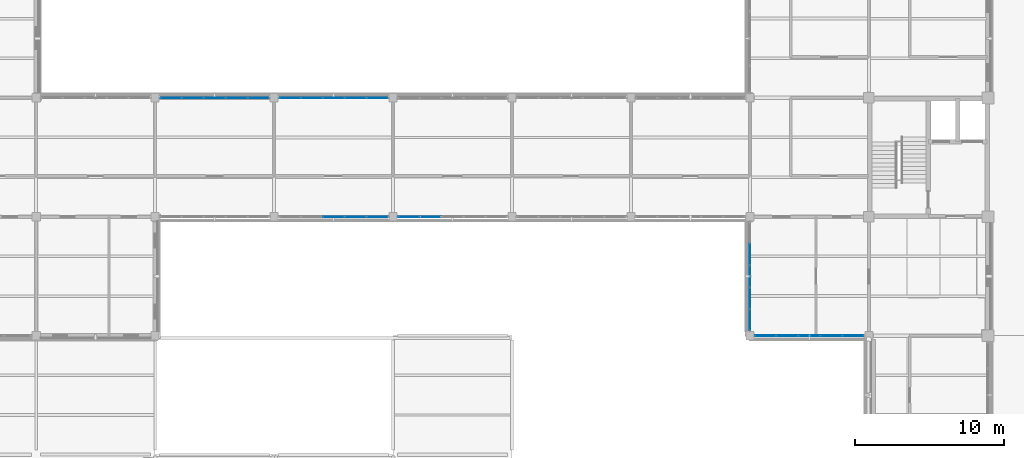
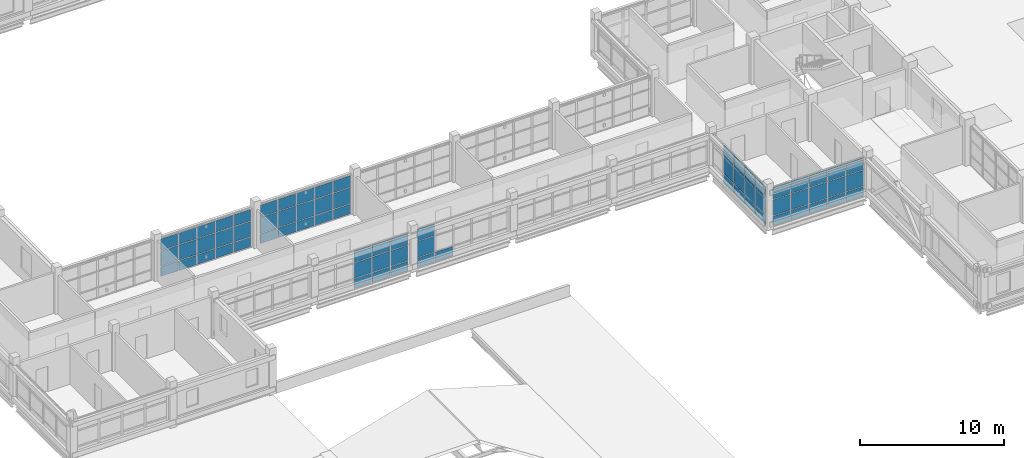
# One storey, part 56 of 107: 70 plates, 6 elements without a shape of their own.
"""IFC4 building model written with IfcOpenShell, lengths in metres."""

from ifc_helpers import new_model, si_unit, derived_unit, direction, frame, origin, origin_2d, place, context, subcontext, project, spatial, rectangle, extrude, material, layer, layer_set, type_object, element, aggregate, save


model = new_model("IFC4")

# Units and contexts
model_context = context("Model", 3, precision=1e-05, world=origin(), true_north=direction((0.0, 1.0)))
body_context = subcontext(model_context, "Body", "Model", "MODEL_VIEW")
ifc_project = project(units=[si_unit("LENGTHUNIT", "METRE"), si_unit("AREAUNIT", "SQUARE_METRE"), si_unit("VOLUMEUNIT", "CUBIC_METRE"), si_unit("PLANEANGLEUNIT", "RADIAN"), si_unit("MASSUNIT", "GRAM", prefix="KILO"), derived_unit("THERMALTRANSMITTANCEUNIT", [(si_unit("MASSUNIT", "GRAM", prefix="KILO"), 1), (si_unit("TIMEUNIT", "SECOND"), -3), (si_unit("THERMODYNAMICTEMPERATUREUNIT", "KELVIN"), -1)])], contexts=[model_context])

# Site, building, storey
site_placement = place(None, origin())
site = spatial("IfcSite", under=ifc_project, at=site_placement, CompositionType="ELEMENT")
building_placement = place(site_placement, origin())
building = spatial("IfcBuilding", under=site, at=building_placement, Name="Veyamyaing Civic Hall", CompositionType="ELEMENT")
storey_placement = place(building_placement, frame((0.0, 0.0, 13.860107421875)))
storey = spatial("IfcBuildingStorey", under=building, at=storey_placement, Name="L03", CompositionType="ELEMENT", Elevation=13.860107421875)

# Curtain wall, plates
ifc_material_1 = material(Name="Anodised aluminium 6063-T6", Category="aluminium")
ifc_layer_1 = layer(ifc_material_1, 0.139892578125, Name="Anodised aluminium 6063-T6")
ifc_layer_set_1 = layer_set([ifc_layer_1], Name="Anodised aluminium 6063-T6")
curtain_wall_type = type_object("IfcCurtainWallType", Name="CW-04", PredefinedType="NOTDEFINED", material=ifc_layer_set_1)
curtain_wall_1_placement = place(storey_placement, origin())
curtain_wall_1 = element("IfcCurtainWall", 1, at=curtain_wall_1_placement, inside=storey, type_object=curtain_wall_type, Name="Unitized curtain wall CW-04 L03 N 3.7", PredefinedType="NOTDEFINED")
ifc_material_2 = material(Name="Low-E insulated glass", Category="glass")
ifc_layer_2 = layer(ifc_material_2, 0.028076171875, Name="Low-E insulated glass")
ifc_layer_set_2 = layer_set([ifc_layer_2], Name="Low-E insulated glass")
plate_type_1 = type_object("IfcPlateType", Name="CWP-01", PredefinedType="CURTAIN_PANEL", material=ifc_layer_set_2)
plate_1_placement = place(storey_placement, frame((17.05908203125, 56.0, 0.059814453125), z_axis=(0.0, 0.0, 1.0), x_axis=(1.0, 0.0, 0.0)))
plate_1 = element("IfcPlate", 2, at=plate_1_placement, type_object=plate_type_1, Name="CW-04 panel 1.1", PredefinedType="CURTAIN_PANEL", context=body_context, shape_type="SweptSolid", body=[
    extrude(rectangle(XDim=1.387939453125, YDim=0.028076171875, at=origin_2d()), origin(), (0.0, 0.0, 1.0), 0.81005859375),
])
plate_2_placement = place(storey_placement, frame((17.05908203125, 56.0, 0.9296875), z_axis=(0.0, 0.0, 1.0), x_axis=(1.0, 0.0, 0.0)))
plate_2 = element("IfcPlate", 3, at=plate_2_placement, type_object=plate_type_1, Name="CW-04 panel 1.2", PredefinedType="CURTAIN_PANEL", context=body_context, shape_type="SweptSolid", body=[
    extrude(rectangle(XDim=1.387939453125, YDim=0.028076171875, at=origin_2d()), origin(), (0.0, 0.0, 1.0), 1.283935546875),
])
plate_3_placement = place(storey_placement, frame((17.05908203125, 56.0, 2.27392578125), z_axis=(0.0, 0.0, 1.0), x_axis=(1.0, 0.0, 0.0)))
plate_3 = element("IfcPlate", 4, at=plate_3_placement, type_object=plate_type_1, Name="CW-04 panel 1.3", PredefinedType="CURTAIN_PANEL", context=body_context, shape_type="SweptSolid", body=[
    extrude(rectangle(XDim=1.387939453125, YDim=0.028076171875, at=origin_2d()), origin(), (0.0, 0.0, 1.0), 0.966064453125),
])
plate_4_placement = place(storey_placement, frame((18.52197265625, 56.0, 0.059814453125), z_axis=(0.0, 0.0, 1.0), x_axis=(1.0, 0.0, 0.0)))
plate_4 = element("IfcPlate", 5, at=plate_4_placement, type_object=plate_type_1, Name="CW-04 panel 2.1", PredefinedType="CURTAIN_PANEL", context=body_context, shape_type="SweptSolid", body=[
    extrude(rectangle(XDim=1.41796875, YDim=0.028076171875, at=origin_2d()), origin(), (0.0, 0.0, 1.0), 0.81005859375),
])
plate_5_placement = place(storey_placement, frame((18.52197265625, 56.0, 0.9296875), z_axis=(0.0, 0.0, 1.0), x_axis=(1.0, 0.0, 0.0)))
plate_5 = element("IfcPlate", 6, at=plate_5_placement, type_object=plate_type_1, Name="CW-04 panel 2.2", PredefinedType="CURTAIN_PANEL", context=body_context, shape_type="SweptSolid", body=[
    extrude(rectangle(XDim=1.41796875, YDim=0.028076171875, at=origin_2d()), origin(), (0.0, 0.0, 1.0), 1.283935546875),
])
plate_6_placement = place(storey_placement, frame((18.52197265625, 56.0, 2.27392578125), z_axis=(0.0, 0.0, 1.0), x_axis=(1.0, 0.0, 0.0)))
plate_6 = element("IfcPlate", 7, at=plate_6_placement, type_object=plate_type_1, Name="CW-04 panel 2.3", PredefinedType="CURTAIN_PANEL", context=body_context, shape_type="SweptSolid", body=[
    extrude(rectangle(XDim=1.41796875, YDim=0.028076171875, at=origin_2d()), origin(), (0.0, 0.0, 1.0), 0.966064453125),
])
plate_7_placement = place(storey_placement, frame((20.0, 56.0, 0.059814453125), z_axis=(0.0, 0.0, 1.0), x_axis=(1.0, 0.0, 0.0)))
plate_7 = element("IfcPlate", 8, at=plate_7_placement, type_object=plate_type_1, Name="CW-04 panel 3.1", PredefinedType="CURTAIN_PANEL", context=body_context, shape_type="SweptSolid", body=[
    extrude(rectangle(XDim=1.41796875, YDim=0.028076171875, at=origin_2d()), origin(), (0.0, 0.0, 1.0), 0.81005859375),
])
plate_8_placement = place(storey_placement, frame((20.0, 56.0, 0.9296875), z_axis=(0.0, 0.0, 1.0), x_axis=(1.0, 0.0, 0.0)))
plate_8 = element("IfcPlate", 9, at=plate_8_placement, type_object=plate_type_1, Name="CW-04 panel 3.2", PredefinedType="CURTAIN_PANEL", context=body_context, shape_type="SweptSolid", body=[
    extrude(rectangle(XDim=1.41796875, YDim=0.028076171875, at=origin_2d()), origin(), (0.0, 0.0, 1.0), 1.283935546875),
])
plate_9_placement = place(storey_placement, frame((20.0, 56.0, 2.27392578125), z_axis=(0.0, 0.0, 1.0), x_axis=(1.0, 0.0, 0.0)))
plate_9 = element("IfcPlate", 10, at=plate_9_placement, type_object=plate_type_1, Name="CW-04 panel 3.3", PredefinedType="CURTAIN_PANEL", context=body_context, shape_type="SweptSolid", body=[
    extrude(rectangle(XDim=1.41796875, YDim=0.028076171875, at=origin_2d()), origin(), (0.0, 0.0, 1.0), 0.966064453125),
])
plate_10_placement = place(storey_placement, frame((21.47802734375, 56.0, 0.059814453125), z_axis=(0.0, 0.0, 1.0), x_axis=(1.0, 0.0, 0.0)))
plate_10 = element("IfcPlate", 11, at=plate_10_placement, type_object=plate_type_1, Name="CW-04 panel 4.1", PredefinedType="CURTAIN_PANEL", context=body_context, shape_type="SweptSolid", body=[
    extrude(rectangle(XDim=1.41796875, YDim=0.028076171875, at=origin_2d()), origin(), (0.0, 0.0, 1.0), 0.81005859375),
])
plate_11_placement = place(storey_placement, frame((21.47802734375, 56.0, 0.9296875), z_axis=(0.0, 0.0, 1.0), x_axis=(1.0, 0.0, 0.0)))
plate_11 = element("IfcPlate", 12, at=plate_11_placement, type_object=plate_type_1, Name="CW-04 panel 4.2", PredefinedType="CURTAIN_PANEL", context=body_context, shape_type="SweptSolid", body=[
    extrude(rectangle(XDim=1.41796875, YDim=0.028076171875, at=origin_2d()), origin(), (0.0, 0.0, 1.0), 1.283935546875),
])
plate_12_placement = place(storey_placement, frame((21.47802734375, 56.0, 2.27392578125), z_axis=(0.0, 0.0, 1.0), x_axis=(1.0, 0.0, 0.0)))
plate_12 = element("IfcPlate", 13, at=plate_12_placement, type_object=plate_type_1, Name="CW-04 panel 4.3", PredefinedType="CURTAIN_PANEL", context=body_context, shape_type="SweptSolid", body=[
    extrude(rectangle(XDim=1.41796875, YDim=0.028076171875, at=origin_2d()), origin(), (0.0, 0.0, 1.0), 0.966064453125),
])
plate_13_placement = place(storey_placement, frame((22.94091796875, 56.0, 0.059814453125), z_axis=(0.0, 0.0, 1.0), x_axis=(1.0, 0.0, 0.0)))
plate_13 = element("IfcPlate", 14, at=plate_13_placement, type_object=plate_type_1, Name="CW-04 panel 5.1", PredefinedType="CURTAIN_PANEL", context=body_context, shape_type="SweptSolid", body=[
    extrude(rectangle(XDim=1.387939453125, YDim=0.028076171875, at=origin_2d()), origin(), (0.0, 0.0, 1.0), 0.81005859375),
])
plate_14_placement = place(storey_placement, frame((22.94091796875, 56.0, 0.9296875), z_axis=(0.0, 0.0, 1.0), x_axis=(1.0, 0.0, 0.0)))
plate_14 = element("IfcPlate", 15, at=plate_14_placement, type_object=plate_type_1, Name="CW-04 panel 5.2", PredefinedType="CURTAIN_PANEL", context=body_context, shape_type="SweptSolid", body=[
    extrude(rectangle(XDim=1.387939453125, YDim=0.028076171875, at=origin_2d()), origin(), (0.0, 0.0, 1.0), 1.283935546875),
])
plate_15_placement = place(storey_placement, frame((22.94091796875, 56.0, 2.27392578125), z_axis=(0.0, 0.0, 1.0), x_axis=(1.0, 0.0, 0.0)))
plate_15 = element("IfcPlate", 16, at=plate_15_placement, type_object=plate_type_1, Name="CW-04 panel 5.3", PredefinedType="CURTAIN_PANEL", context=body_context, shape_type="SweptSolid", body=[
    extrude(rectangle(XDim=1.387939453125, YDim=0.028076171875, at=origin_2d()), origin(), (0.0, 0.0, 1.0), 0.966064453125),
])
aggregate(curtain_wall_1, [plate_1, plate_2, plate_3, plate_4, plate_5, plate_6, plate_7, plate_8, plate_9, plate_10, plate_11, plate_12, plate_13, plate_14, plate_15])

curtain_wall_2_placement = place(storey_placement, origin())
curtain_wall_2 = element("IfcCurtainWall", 17, at=curtain_wall_2_placement, inside=storey, type_object=curtain_wall_type, Name="Unitized curtain wall CW-04 L03 S 4.7", PredefinedType="NOTDEFINED")
ifc_layer_3 = layer(ifc_material_2, 0.031982421875, Name="Low-E insulated glass")
ifc_layer_set_3 = layer_set([ifc_layer_3], Name="Low-E insulated glass")
plate_type_2 = type_object("IfcPlateType", Name="CWP-02", PredefinedType="CURTAIN_PANEL", material=ifc_layer_set_3)
plate_16_placement = place(storey_placement, frame((28.0, 48.0, 0.059814453125), z_axis=(0.0, 0.0, 1.0), x_axis=(1.0, 0.0, 0.0)))
plate_16 = element("IfcPlate", 18, at=plate_16_placement, type_object=plate_type_2, Name="CW-04 panel 3.1", PredefinedType="CURTAIN_PANEL", context=body_context, shape_type="SweptSolid", body=[
    extrude(rectangle(XDim=1.41796875, YDim=0.031982421875, at=origin_2d()), origin(), (0.0, 0.0, 1.0), 0.81005859375),
])
plate_17_placement = place(storey_placement, frame((28.0, 48.0, 0.9296875), z_axis=(0.0, 0.0, 1.0), x_axis=(1.0, 0.0, 0.0)))
plate_17 = element("IfcPlate", 19, at=plate_17_placement, type_object=plate_type_2, Name="CW-04 panel 3.2", PredefinedType="CURTAIN_PANEL", context=body_context, shape_type="SweptSolid", body=[
    extrude(rectangle(XDim=1.41796875, YDim=0.031982421875, at=origin_2d()), origin(), (0.0, 0.0, 1.0), 1.283935546875),
])
plate_18_placement = place(storey_placement, frame((28.0, 48.0, 2.27392578125), z_axis=(0.0, 0.0, 1.0), x_axis=(1.0, 0.0, 0.0)))
plate_18 = element("IfcPlate", 20, at=plate_18_placement, type_object=plate_type_2, Name="CW-04 panel 3.3", PredefinedType="CURTAIN_PANEL", context=body_context, shape_type="SweptSolid", body=[
    extrude(rectangle(XDim=1.41796875, YDim=0.031982421875, at=origin_2d()), origin(), (0.0, 0.0, 1.0), 0.966064453125),
])
plate_19_placement = place(storey_placement, frame((29.47802734375, 48.0, 0.059814453125), z_axis=(0.0, 0.0, 1.0), x_axis=(1.0, 0.0, 0.0)))
plate_19 = element("IfcPlate", 21, at=plate_19_placement, type_object=plate_type_2, Name="CW-04 panel 4.1", PredefinedType="CURTAIN_PANEL", context=body_context, shape_type="SweptSolid", body=[
    extrude(rectangle(XDim=1.41796875, YDim=0.031982421875, at=origin_2d()), origin(), (0.0, 0.0, 1.0), 0.81005859375),
])
plate_20_placement = place(storey_placement, frame((29.47802734375, 48.0, 0.9296875), z_axis=(0.0, 0.0, 1.0), x_axis=(1.0, 0.0, 0.0)))
plate_20 = element("IfcPlate", 22, at=plate_20_placement, type_object=plate_type_2, Name="CW-04 panel 4.2", PredefinedType="CURTAIN_PANEL", context=body_context, shape_type="SweptSolid", body=[
    extrude(rectangle(XDim=1.41796875, YDim=0.031982421875, at=origin_2d()), origin(), (0.0, 0.0, 1.0), 1.283935546875),
])
plate_21_placement = place(storey_placement, frame((29.47802734375, 48.0, 2.27392578125), z_axis=(0.0, 0.0, 1.0), x_axis=(1.0, 0.0, 0.0)))
plate_21 = element("IfcPlate", 23, at=plate_21_placement, type_object=plate_type_2, Name="CW-04 panel 4.3", PredefinedType="CURTAIN_PANEL", context=body_context, shape_type="SweptSolid", body=[
    extrude(rectangle(XDim=1.41796875, YDim=0.031982421875, at=origin_2d()), origin(), (0.0, 0.0, 1.0), 0.966064453125),
])
plate_22_placement = place(storey_placement, frame((30.94091796875, 48.0, 0.059814453125), z_axis=(0.0, 0.0, 1.0), x_axis=(1.0, 0.0, 0.0)))
plate_22 = element("IfcPlate", 24, at=plate_22_placement, type_object=plate_type_2, Name="CW-04 panel 5.1", PredefinedType="CURTAIN_PANEL", context=body_context, shape_type="SweptSolid", body=[
    extrude(rectangle(XDim=1.387939453125, YDim=0.031982421875, at=origin_2d()), origin(), (0.0, 0.0, 1.0), 0.81005859375),
])
plate_23_placement = place(storey_placement, frame((30.94091796875, 48.0, 0.9296875), z_axis=(0.0, 0.0, 1.0), x_axis=(1.0, 0.0, 0.0)))
plate_23 = element("IfcPlate", 25, at=plate_23_placement, type_object=plate_type_2, Name="CW-04 panel 5.2", PredefinedType="CURTAIN_PANEL", context=body_context, shape_type="SweptSolid", body=[
    extrude(rectangle(XDim=1.387939453125, YDim=0.031982421875, at=origin_2d()), origin(), (0.0, 0.0, 1.0), 1.283935546875),
])
plate_24_placement = place(storey_placement, frame((30.94091796875, 48.0, 2.27392578125), z_axis=(0.0, 0.0, 1.0), x_axis=(1.0, 0.0, 0.0)))
plate_24 = element("IfcPlate", 26, at=plate_24_placement, type_object=plate_type_2, Name="CW-04 panel 5.3", PredefinedType="CURTAIN_PANEL", context=body_context, shape_type="SweptSolid", body=[
    extrude(rectangle(XDim=1.387939453125, YDim=0.031982421875, at=origin_2d()), origin(), (0.0, 0.0, 1.0), 0.966064453125),
])
aggregate(curtain_wall_2, [plate_16, plate_17, plate_18, plate_19, plate_20, plate_21, plate_22, plate_23, plate_24])

curtain_wall_3_placement = place(storey_placement, origin())
curtain_wall_3 = element("IfcCurtainWall", 27, at=curtain_wall_3_placement, inside=storey, type_object=curtain_wall_type, Name="Unitized curtain wall CW-04 L03 N 4.7", PredefinedType="NOTDEFINED")
plate_25_placement = place(storey_placement, frame((25.05908203125, 56.0, 0.059814453125), z_axis=(0.0, 0.0, 1.0), x_axis=(1.0, 0.0, 0.0)))
plate_25 = element("IfcPlate", 28, at=plate_25_placement, type_object=plate_type_2, Name="CW-04 panel 1.1", PredefinedType="CURTAIN_PANEL", context=body_context, shape_type="SweptSolid", body=[
    extrude(rectangle(XDim=1.387939453125, YDim=0.031982421875, at=origin_2d()), origin(), (0.0, 0.0, 1.0), 0.81005859375),
])
plate_26_placement = place(storey_placement, frame((25.05908203125, 56.0, 0.93017578125), z_axis=(0.0, 0.0, 1.0), x_axis=(1.0, 0.0, 0.0)))
plate_26 = element("IfcPlate", 29, at=plate_26_placement, type_object=plate_type_2, Name="CW-04 panel 1.2", PredefinedType="CURTAIN_PANEL", context=body_context, shape_type="SweptSolid", body=[
    extrude(rectangle(XDim=1.387939453125, YDim=0.031982421875, at=origin_2d()), origin(), (0.0, 0.0, 1.0), 1.327392578125),
])
plate_27_placement = place(storey_placement, frame((25.05908203125, 56.0, 2.3173828125), z_axis=(0.0, 0.0, 1.0), x_axis=(1.0, 0.0, 0.0)))
plate_27 = element("IfcPlate", 30, at=plate_27_placement, type_object=plate_type_2, Name="CW-04 panel 1.3", PredefinedType="CURTAIN_PANEL", context=body_context, shape_type="SweptSolid", body=[
    extrude(rectangle(XDim=1.387939453125, YDim=0.031982421875, at=origin_2d()), origin(), (0.0, 0.0, 1.0), 0.986572265625),
])
plate_28_placement = place(storey_placement, frame((26.52197265625, 56.0, 0.059814453125), z_axis=(0.0, 0.0, 1.0), x_axis=(1.0, 0.0, 0.0)))
plate_28 = element("IfcPlate", 31, at=plate_28_placement, type_object=plate_type_2, Name="CW-04 panel 2.1", PredefinedType="CURTAIN_PANEL", context=body_context, shape_type="SweptSolid", body=[
    extrude(rectangle(XDim=1.41796875, YDim=0.031982421875, at=origin_2d()), origin(), (0.0, 0.0, 1.0), 0.81005859375),
])
plate_29_placement = place(storey_placement, frame((26.52197265625, 56.0, 0.93017578125), z_axis=(0.0, 0.0, 1.0), x_axis=(1.0, 0.0, 0.0)))
plate_29 = element("IfcPlate", 32, at=plate_29_placement, type_object=plate_type_2, Name="CW-04 panel 2.2", PredefinedType="CURTAIN_PANEL", context=body_context, shape_type="SweptSolid", body=[
    extrude(rectangle(XDim=1.41796875, YDim=0.031982421875, at=origin_2d()), origin(), (0.0, 0.0, 1.0), 1.327392578125),
])
plate_30_placement = place(storey_placement, frame((26.52197265625, 56.0, 2.3173828125), z_axis=(0.0, 0.0, 1.0), x_axis=(1.0, 0.0, 0.0)))
plate_30 = element("IfcPlate", 33, at=plate_30_placement, type_object=plate_type_2, Name="CW-04 panel 2.3", PredefinedType="CURTAIN_PANEL", context=body_context, shape_type="SweptSolid", body=[
    extrude(rectangle(XDim=1.41796875, YDim=0.031982421875, at=origin_2d()), origin(), (0.0, 0.0, 1.0), 0.986572265625),
])
plate_31_placement = place(storey_placement, frame((28.0, 56.0, 0.059814453125), z_axis=(0.0, 0.0, 1.0), x_axis=(1.0, 0.0, 0.0)))
plate_31 = element("IfcPlate", 34, at=plate_31_placement, type_object=plate_type_2, Name="CW-04 panel 3.1", PredefinedType="CURTAIN_PANEL", context=body_context, shape_type="SweptSolid", body=[
    extrude(rectangle(XDim=1.41796875, YDim=0.031982421875, at=origin_2d()), origin(), (0.0, 0.0, 1.0), 0.81005859375),
])
plate_32_placement = place(storey_placement, frame((28.0, 56.0, 0.93017578125), z_axis=(0.0, 0.0, 1.0), x_axis=(1.0, 0.0, 0.0)))
plate_32 = element("IfcPlate", 35, at=plate_32_placement, type_object=plate_type_2, Name="CW-04 panel 3.2", PredefinedType="CURTAIN_PANEL", context=body_context, shape_type="SweptSolid", body=[
    extrude(rectangle(XDim=1.41796875, YDim=0.031982421875, at=origin_2d()), origin(), (0.0, 0.0, 1.0), 1.327392578125),
])
plate_33_placement = place(storey_placement, frame((28.0, 56.0, 2.3173828125), z_axis=(0.0, 0.0, 1.0), x_axis=(1.0, 0.0, 0.0)))
plate_33 = element("IfcPlate", 36, at=plate_33_placement, type_object=plate_type_2, Name="CW-04 panel 3.3", PredefinedType="CURTAIN_PANEL", context=body_context, shape_type="SweptSolid", body=[
    extrude(rectangle(XDim=1.41796875, YDim=0.031982421875, at=origin_2d()), origin(), (0.0, 0.0, 1.0), 0.986572265625),
])
plate_34_placement = place(storey_placement, frame((29.47802734375, 56.0, 0.059814453125), z_axis=(0.0, 0.0, 1.0), x_axis=(1.0, 0.0, 0.0)))
plate_34 = element("IfcPlate", 37, at=plate_34_placement, type_object=plate_type_2, Name="CW-04 panel 4.1", PredefinedType="CURTAIN_PANEL", context=body_context, shape_type="SweptSolid", body=[
    extrude(rectangle(XDim=1.41796875, YDim=0.031982421875, at=origin_2d()), origin(), (0.0, 0.0, 1.0), 0.81005859375),
])
plate_35_placement = place(storey_placement, frame((29.47802734375, 56.0, 0.93017578125), z_axis=(0.0, 0.0, 1.0), x_axis=(1.0, 0.0, 0.0)))
plate_35 = element("IfcPlate", 38, at=plate_35_placement, type_object=plate_type_2, Name="CW-04 panel 4.2", PredefinedType="CURTAIN_PANEL", context=body_context, shape_type="SweptSolid", body=[
    extrude(rectangle(XDim=1.41796875, YDim=0.031982421875, at=origin_2d()), origin(), (0.0, 0.0, 1.0), 1.327392578125),
])
plate_36_placement = place(storey_placement, frame((29.47802734375, 56.0, 2.3173828125), z_axis=(0.0, 0.0, 1.0), x_axis=(1.0, 0.0, 0.0)))
plate_36 = element("IfcPlate", 39, at=plate_36_placement, type_object=plate_type_2, Name="CW-04 panel 4.3", PredefinedType="CURTAIN_PANEL", context=body_context, shape_type="SweptSolid", body=[
    extrude(rectangle(XDim=1.41796875, YDim=0.031982421875, at=origin_2d()), origin(), (0.0, 0.0, 1.0), 0.986572265625),
])
plate_37_placement = place(storey_placement, frame((30.94091796875, 56.0, 0.059814453125), z_axis=(0.0, 0.0, 1.0), x_axis=(1.0, 0.0, 0.0)))
plate_37 = element("IfcPlate", 40, at=plate_37_placement, type_object=plate_type_2, Name="CW-04 panel 5.1", PredefinedType="CURTAIN_PANEL", context=body_context, shape_type="SweptSolid", body=[
    extrude(rectangle(XDim=1.387939453125, YDim=0.031982421875, at=origin_2d()), origin(), (0.0, 0.0, 1.0), 0.81005859375),
])
plate_38_placement = place(storey_placement, frame((30.94091796875, 56.0, 0.93017578125), z_axis=(0.0, 0.0, 1.0), x_axis=(1.0, 0.0, 0.0)))
plate_38 = element("IfcPlate", 41, at=plate_38_placement, type_object=plate_type_2, Name="CW-04 panel 5.2", PredefinedType="CURTAIN_PANEL", context=body_context, shape_type="SweptSolid", body=[
    extrude(rectangle(XDim=1.387939453125, YDim=0.031982421875, at=origin_2d()), origin(), (0.0, 0.0, 1.0), 1.327392578125),
])
plate_39_placement = place(storey_placement, frame((30.94091796875, 56.0, 2.3173828125), z_axis=(0.0, 0.0, 1.0), x_axis=(1.0, 0.0, 0.0)))
plate_39 = element("IfcPlate", 42, at=plate_39_placement, type_object=plate_type_2, Name="CW-04 panel 5.3", PredefinedType="CURTAIN_PANEL", context=body_context, shape_type="SweptSolid", body=[
    extrude(rectangle(XDim=1.387939453125, YDim=0.031982421875, at=origin_2d()), origin(), (0.0, 0.0, 1.0), 0.986572265625),
])
aggregate(curtain_wall_3, [plate_25, plate_26, plate_27, plate_28, plate_29, plate_30, plate_31, plate_32, plate_33, plate_34, plate_35, plate_36, plate_37, plate_38, plate_39])

curtain_wall_4_placement = place(storey_placement, origin())
curtain_wall_4 = element("IfcCurtainWall", 43, at=curtain_wall_4_placement, inside=storey, type_object=curtain_wall_type, Name="Unitized curtain wall CW-04 L03 S 5.7", PredefinedType="NOTDEFINED")
ifc_layer_4 = layer(ifc_material_2, 0.035888671875, Name="Low-E insulated glass")
ifc_layer_set_4 = layer_set([ifc_layer_4], Name="Low-E insulated glass")
plate_type_3 = type_object("IfcPlateType", Name="CWP-03", PredefinedType="CURTAIN_PANEL", material=ifc_layer_set_4)
plate_40_placement = place(storey_placement, frame((33.05908203125, 48.0, 0.059814453125), z_axis=(0.0, 0.0, 1.0), x_axis=(1.0, 0.0, 0.0)))
plate_40 = element("IfcPlate", 44, at=plate_40_placement, type_object=plate_type_3, Name="CW-04 panel 1.1", PredefinedType="CURTAIN_PANEL", context=body_context, shape_type="SweptSolid", body=[
    extrude(rectangle(XDim=1.387939453125, YDim=0.035888671875, at=origin_2d()), origin(), (0.0, 0.0, 1.0), 0.81005859375),
])
plate_41_placement = place(storey_placement, frame((33.05908203125, 48.0, 0.93017578125), z_axis=(0.0, 0.0, 1.0), x_axis=(1.0, 0.0, 0.0)))
plate_41 = element("IfcPlate", 45, at=plate_41_placement, type_object=plate_type_3, Name="CW-04 panel 1.2", PredefinedType="CURTAIN_PANEL", context=body_context, shape_type="SweptSolid", body=[
    extrude(rectangle(XDim=1.387939453125, YDim=0.035888671875, at=origin_2d()), origin(), (0.0, 0.0, 1.0), 1.327392578125),
])
plate_42_placement = place(storey_placement, frame((33.05908203125, 48.0, 2.3173828125), z_axis=(0.0, 0.0, 1.0), x_axis=(1.0, 0.0, 0.0)))
plate_42 = element("IfcPlate", 46, at=plate_42_placement, type_object=plate_type_3, Name="CW-04 panel 1.3", PredefinedType="CURTAIN_PANEL", context=body_context, shape_type="SweptSolid", body=[
    extrude(rectangle(XDim=1.387939453125, YDim=0.035888671875, at=origin_2d()), origin(), (0.0, 0.0, 1.0), 0.986572265625),
])
plate_43_placement = place(storey_placement, frame((34.52197265625, 48.0, 0.059814453125), z_axis=(0.0, 0.0, 1.0), x_axis=(1.0, 0.0, 0.0)))
plate_43 = element("IfcPlate", 47, at=plate_43_placement, type_object=plate_type_3, Name="CW-04 panel 2.1", PredefinedType="CURTAIN_PANEL", context=body_context, shape_type="SweptSolid", body=[
    extrude(rectangle(XDim=1.41796875, YDim=0.035888671875, at=origin_2d()), origin(), (0.0, 0.0, 1.0), 0.81005859375),
])
aggregate(curtain_wall_4, [plate_40, plate_41, plate_42, plate_43])

curtain_wall_5_placement = place(storey_placement, origin())
curtain_wall_5 = element("IfcCurtainWall", 48, at=curtain_wall_5_placement, inside=storey, type_object=curtain_wall_type, Name="Unitized curtain wall CW-04 L03 S 8.6", PredefinedType="NOTDEFINED")
ifc_layer_5 = layer(ifc_material_2, 0.0400390625, Name="Low-E insulated glass")
ifc_layer_set_5 = layer_set([ifc_layer_5], Name="Low-E insulated glass")
plate_type_4 = type_object("IfcPlateType", Name="CWP-05", PredefinedType="CURTAIN_PANEL", material=ifc_layer_set_5)
plate_44_placement = place(storey_placement, frame((57.05908203125, 40.0, 0.059814453125), z_axis=(0.0, 0.0, 1.0), x_axis=(1.0, 0.0, 0.0)))
plate_44 = element("IfcPlate", 49, at=plate_44_placement, type_object=plate_type_4, Name="CW-04 panel 1.1", PredefinedType="CURTAIN_PANEL", context=body_context, shape_type="SweptSolid", body=[
    extrude(rectangle(XDim=1.387939453125, YDim=0.0400390625, at=origin_2d()), origin(), (0.0, 0.0, 1.0), 0.81005859375),
])
plate_45_placement = place(storey_placement, frame((57.05908203125, 40.0, 0.929931640625), z_axis=(0.0, 0.0, 1.0), x_axis=(1.0, 0.0, 0.0)))
plate_45 = element("IfcPlate", 50, at=plate_45_placement, type_object=plate_type_4, Name="CW-04 panel 1.2", PredefinedType="CURTAIN_PANEL", context=body_context, shape_type="SweptSolid", body=[
    extrude(rectangle(XDim=1.387939453125, YDim=0.0400390625, at=origin_2d()), origin(), (0.0, 0.0, 1.0), 1.32958984375),
])
plate_46_placement = place(storey_placement, frame((57.05908203125, 40.0, 2.319580078125), z_axis=(0.0, 0.0, 1.0), x_axis=(1.0, 0.0, 0.0)))
plate_46 = element("IfcPlate", 51, at=plate_46_placement, type_object=plate_type_4, Name="CW-04 panel 1.3", PredefinedType="CURTAIN_PANEL", context=body_context, shape_type="SweptSolid", body=[
    extrude(rectangle(XDim=1.387939453125, YDim=0.0400390625, at=origin_2d()), origin(), (0.0, 0.0, 1.0), 0.9873046875),
])
plate_47_placement = place(storey_placement, frame((58.52197265625, 40.0, 0.059814453125), z_axis=(0.0, 0.0, 1.0), x_axis=(1.0, 0.0, 0.0)))
plate_47 = element("IfcPlate", 52, at=plate_47_placement, type_object=plate_type_4, Name="CW-04 panel 2.1", PredefinedType="CURTAIN_PANEL", context=body_context, shape_type="SweptSolid", body=[
    extrude(rectangle(XDim=1.41796875, YDim=0.0400390625, at=origin_2d()), origin(), (0.0, 0.0, 1.0), 0.81005859375),
])
plate_48_placement = place(storey_placement, frame((58.52197265625, 40.0, 0.929931640625), z_axis=(0.0, 0.0, 1.0), x_axis=(1.0, 0.0, 0.0)))
plate_48 = element("IfcPlate", 53, at=plate_48_placement, type_object=plate_type_4, Name="CW-04 panel 2.2", PredefinedType="CURTAIN_PANEL", context=body_context, shape_type="SweptSolid", body=[
    extrude(rectangle(XDim=1.41796875, YDim=0.0400390625, at=origin_2d()), origin(), (0.0, 0.0, 1.0), 1.32958984375),
])
plate_49_placement = place(storey_placement, frame((58.52197265625, 40.0, 2.319580078125), z_axis=(0.0, 0.0, 1.0), x_axis=(1.0, 0.0, 0.0)))
plate_49 = element("IfcPlate", 54, at=plate_49_placement, type_object=plate_type_4, Name="CW-04 panel 2.3", PredefinedType="CURTAIN_PANEL", context=body_context, shape_type="SweptSolid", body=[
    extrude(rectangle(XDim=1.41796875, YDim=0.0400390625, at=origin_2d()), origin(), (0.0, 0.0, 1.0), 0.9873046875),
])
plate_50_placement = place(storey_placement, frame((60.0, 40.0, 0.059814453125), z_axis=(0.0, 0.0, 1.0), x_axis=(1.0, 0.0, 0.0)))
plate_50 = element("IfcPlate", 55, at=plate_50_placement, type_object=plate_type_4, Name="CW-04 panel 3.1", PredefinedType="CURTAIN_PANEL", context=body_context, shape_type="SweptSolid", body=[
    extrude(rectangle(XDim=1.41796875, YDim=0.0400390625, at=origin_2d()), origin(), (0.0, 0.0, 1.0), 0.81005859375),
])
plate_51_placement = place(storey_placement, frame((60.0, 40.0, 0.929931640625), z_axis=(0.0, 0.0, 1.0), x_axis=(1.0, 0.0, 0.0)))
plate_51 = element("IfcPlate", 56, at=plate_51_placement, type_object=plate_type_4, Name="CW-04 panel 3.2", PredefinedType="CURTAIN_PANEL", context=body_context, shape_type="SweptSolid", body=[
    extrude(rectangle(XDim=1.41796875, YDim=0.0400390625, at=origin_2d()), origin(), (0.0, 0.0, 1.0), 1.32958984375),
])
plate_52_placement = place(storey_placement, frame((60.0, 40.0, 2.319580078125), z_axis=(0.0, 0.0, 1.0), x_axis=(1.0, 0.0, 0.0)))
plate_52 = element("IfcPlate", 57, at=plate_52_placement, type_object=plate_type_4, Name="CW-04 panel 3.3", PredefinedType="CURTAIN_PANEL", context=body_context, shape_type="SweptSolid", body=[
    extrude(rectangle(XDim=1.41796875, YDim=0.0400390625, at=origin_2d()), origin(), (0.0, 0.0, 1.0), 0.9873046875),
])
plate_53_placement = place(storey_placement, frame((61.47802734375, 40.0, 0.059814453125), z_axis=(0.0, 0.0, 1.0), x_axis=(1.0, 0.0, 0.0)))
plate_53 = element("IfcPlate", 58, at=plate_53_placement, type_object=plate_type_4, Name="CW-04 panel 4.1", PredefinedType="CURTAIN_PANEL", context=body_context, shape_type="SweptSolid", body=[
    extrude(rectangle(XDim=1.41796875, YDim=0.0400390625, at=origin_2d()), origin(), (0.0, 0.0, 1.0), 0.81005859375),
])
plate_54_placement = place(storey_placement, frame((61.47802734375, 40.0, 0.929931640625), z_axis=(0.0, 0.0, 1.0), x_axis=(1.0, 0.0, 0.0)))
plate_54 = element("IfcPlate", 59, at=plate_54_placement, type_object=plate_type_4, Name="CW-04 panel 4.2", PredefinedType="CURTAIN_PANEL", context=body_context, shape_type="SweptSolid", body=[
    extrude(rectangle(XDim=1.41796875, YDim=0.0400390625, at=origin_2d()), origin(), (0.0, 0.0, 1.0), 1.32958984375),
])
plate_55_placement = place(storey_placement, frame((61.47802734375, 40.0, 2.319580078125), z_axis=(0.0, 0.0, 1.0), x_axis=(1.0, 0.0, 0.0)))
plate_55 = element("IfcPlate", 60, at=plate_55_placement, type_object=plate_type_4, Name="CW-04 panel 4.3", PredefinedType="CURTAIN_PANEL", context=body_context, shape_type="SweptSolid", body=[
    extrude(rectangle(XDim=1.41796875, YDim=0.0400390625, at=origin_2d()), origin(), (0.0, 0.0, 1.0), 0.9873046875),
])
plate_56_placement = place(storey_placement, frame((62.94091796875, 40.0, 0.059814453125), z_axis=(0.0, 0.0, 1.0), x_axis=(1.0, 0.0, 0.0)))
plate_56 = element("IfcPlate", 61, at=plate_56_placement, type_object=plate_type_4, Name="CW-04 panel 5.1", PredefinedType="CURTAIN_PANEL", context=body_context, shape_type="SweptSolid", body=[
    extrude(rectangle(XDim=1.387939453125, YDim=0.0400390625, at=origin_2d()), origin(), (0.0, 0.0, 1.0), 0.81005859375),
])
plate_57_placement = place(storey_placement, frame((62.94091796875, 40.0, 0.929931640625), z_axis=(0.0, 0.0, 1.0), x_axis=(1.0, 0.0, 0.0)))
plate_57 = element("IfcPlate", 62, at=plate_57_placement, type_object=plate_type_4, Name="CW-04 panel 5.2", PredefinedType="CURTAIN_PANEL", context=body_context, shape_type="SweptSolid", body=[
    extrude(rectangle(XDim=1.387939453125, YDim=0.0400390625, at=origin_2d()), origin(), (0.0, 0.0, 1.0), 1.32958984375),
])
plate_58_placement = place(storey_placement, frame((62.94091796875, 40.0, 2.319580078125), z_axis=(0.0, 0.0, 1.0), x_axis=(1.0, 0.0, 0.0)))
plate_58 = element("IfcPlate", 63, at=plate_58_placement, type_object=plate_type_4, Name="CW-04 panel 5.3", PredefinedType="CURTAIN_PANEL", context=body_context, shape_type="SweptSolid", body=[
    extrude(rectangle(XDim=1.387939453125, YDim=0.0400390625, at=origin_2d()), origin(), (0.0, 0.0, 1.0), 0.9873046875),
])
aggregate(curtain_wall_5, [plate_44, plate_45, plate_46, plate_47, plate_48, plate_49, plate_50, plate_51, plate_52, plate_53, plate_54, plate_55, plate_56, plate_57, plate_58])

curtain_wall_6_placement = place(storey_placement, origin())
curtain_wall_6 = element("IfcCurtainWall", 64, at=curtain_wall_6_placement, inside=storey, type_object=curtain_wall_type, Name="Unitized curtain wall CW-04 L03 W 8.6", PredefinedType="NOTDEFINED")
plate_59_placement = place(storey_placement, frame((56.0, 41.05908203125, 0.059814453125), z_axis=(0.0, 0.0, 1.0), x_axis=(0.0, 1.0, 0.0)))
plate_59 = element("IfcPlate", 65, at=plate_59_placement, type_object=plate_type_4, Name="CW-04 panel 1.1", PredefinedType="CURTAIN_PANEL", context=body_context, shape_type="SweptSolid", body=[
    extrude(rectangle(XDim=1.387939453125, YDim=0.0400390625, at=origin_2d()), origin(), (0.0, 0.0, 1.0), 0.81005859375),
])
plate_60_placement = place(storey_placement, frame((56.0, 41.05908203125, 0.929931640625), z_axis=(0.0, 0.0, 1.0), x_axis=(0.0, 1.0, 0.0)))
plate_60 = element("IfcPlate", 66, at=plate_60_placement, type_object=plate_type_4, Name="CW-04 panel 1.2", PredefinedType="CURTAIN_PANEL", context=body_context, shape_type="SweptSolid", body=[
    extrude(rectangle(XDim=1.387939453125, YDim=0.0400390625, at=origin_2d()), origin(), (0.0, 0.0, 1.0), 1.32958984375),
])
plate_61_placement = place(storey_placement, frame((56.0, 41.05908203125, 2.319580078125), z_axis=(0.0, 0.0, 1.0), x_axis=(0.0, 1.0, 0.0)))
plate_61 = element("IfcPlate", 67, at=plate_61_placement, type_object=plate_type_4, Name="CW-04 panel 1.3", PredefinedType="CURTAIN_PANEL", context=body_context, shape_type="SweptSolid", body=[
    extrude(rectangle(XDim=1.387939453125, YDim=0.0400390625, at=origin_2d()), origin(), (0.0, 0.0, 1.0), 0.9873046875),
])
plate_62_placement = place(storey_placement, frame((56.0, 42.52197265625, 0.059814453125), z_axis=(0.0, 0.0, 1.0), x_axis=(0.0, 1.0, 0.0)))
plate_62 = element("IfcPlate", 68, at=plate_62_placement, type_object=plate_type_4, Name="CW-04 panel 2.1", PredefinedType="CURTAIN_PANEL", context=body_context, shape_type="SweptSolid", body=[
    extrude(rectangle(XDim=1.41796875, YDim=0.0400390625, at=origin_2d()), origin(), (0.0, 0.0, 1.0), 0.81005859375),
])
plate_63_placement = place(storey_placement, frame((56.0, 42.52197265625, 0.929931640625), z_axis=(0.0, 0.0, 1.0), x_axis=(0.0, 1.0, 0.0)))
plate_63 = element("IfcPlate", 69, at=plate_63_placement, type_object=plate_type_4, Name="CW-04 panel 2.2", PredefinedType="CURTAIN_PANEL", context=body_context, shape_type="SweptSolid", body=[
    extrude(rectangle(XDim=1.41796875, YDim=0.0400390625, at=origin_2d()), origin(), (0.0, 0.0, 1.0), 1.32958984375),
])
plate_64_placement = place(storey_placement, frame((56.0, 42.52197265625, 2.319580078125), z_axis=(0.0, 0.0, 1.0), x_axis=(0.0, 1.0, 0.0)))
plate_64 = element("IfcPlate", 70, at=plate_64_placement, type_object=plate_type_4, Name="CW-04 panel 2.3", PredefinedType="CURTAIN_PANEL", context=body_context, shape_type="SweptSolid", body=[
    extrude(rectangle(XDim=1.41796875, YDim=0.0400390625, at=origin_2d()), origin(), (0.0, 0.0, 1.0), 0.9873046875),
])
plate_65_placement = place(storey_placement, frame((56.0, 44.0, 0.059814453125), z_axis=(0.0, 0.0, 1.0), x_axis=(0.0, 1.0, 0.0)))
plate_65 = element("IfcPlate", 71, at=plate_65_placement, type_object=plate_type_4, Name="CW-04 panel 3.1", PredefinedType="CURTAIN_PANEL", context=body_context, shape_type="SweptSolid", body=[
    extrude(rectangle(XDim=1.41796875, YDim=0.0400390625, at=origin_2d()), origin(), (0.0, 0.0, 1.0), 0.81005859375),
])
plate_66_placement = place(storey_placement, frame((56.0, 44.0, 0.929931640625), z_axis=(0.0, 0.0, 1.0), x_axis=(0.0, 1.0, 0.0)))
plate_66 = element("IfcPlate", 72, at=plate_66_placement, type_object=plate_type_4, Name="CW-04 panel 3.2", PredefinedType="CURTAIN_PANEL", context=body_context, shape_type="SweptSolid", body=[
    extrude(rectangle(XDim=1.41796875, YDim=0.0400390625, at=origin_2d()), origin(), (0.0, 0.0, 1.0), 1.32958984375),
])
plate_67_placement = place(storey_placement, frame((56.0, 44.0, 2.319580078125), z_axis=(0.0, 0.0, 1.0), x_axis=(0.0, 1.0, 0.0)))
plate_67 = element("IfcPlate", 73, at=plate_67_placement, type_object=plate_type_4, Name="CW-04 panel 3.3", PredefinedType="CURTAIN_PANEL", context=body_context, shape_type="SweptSolid", body=[
    extrude(rectangle(XDim=1.41796875, YDim=0.0400390625, at=origin_2d()), origin(), (0.0, 0.0, 1.0), 0.9873046875),
])
plate_68_placement = place(storey_placement, frame((56.0, 45.47802734375, 0.059814453125), z_axis=(0.0, 0.0, 1.0), x_axis=(0.0, 1.0, 0.0)))
plate_68 = element("IfcPlate", 74, at=plate_68_placement, type_object=plate_type_4, Name="CW-04 panel 4.1", PredefinedType="CURTAIN_PANEL", context=body_context, shape_type="SweptSolid", body=[
    extrude(rectangle(XDim=1.41796875, YDim=0.0400390625, at=origin_2d()), origin(), (0.0, 0.0, 1.0), 0.81005859375),
])
plate_69_placement = place(storey_placement, frame((56.0, 45.47802734375, 0.929931640625), z_axis=(0.0, 0.0, 1.0), x_axis=(0.0, 1.0, 0.0)))
plate_69 = element("IfcPlate", 75, at=plate_69_placement, type_object=plate_type_4, Name="CW-04 panel 4.2", PredefinedType="CURTAIN_PANEL", context=body_context, shape_type="SweptSolid", body=[
    extrude(rectangle(XDim=1.41796875, YDim=0.0400390625, at=origin_2d()), origin(), (0.0, 0.0, 1.0), 1.32958984375),
])
plate_70_placement = place(storey_placement, frame((56.0, 45.47802734375, 2.319580078125), z_axis=(0.0, 0.0, 1.0), x_axis=(0.0, 1.0, 0.0)))
plate_70 = element("IfcPlate", 76, at=plate_70_placement, type_object=plate_type_4, Name="CW-04 panel 4.3", PredefinedType="CURTAIN_PANEL", context=body_context, shape_type="SweptSolid", body=[
    extrude(rectangle(XDim=1.41796875, YDim=0.0400390625, at=origin_2d()), origin(), (0.0, 0.0, 1.0), 0.9873046875),
])
aggregate(curtain_wall_6, [plate_59, plate_60, plate_61, plate_62, plate_63, plate_64, plate_65, plate_66, plate_67, plate_68, plate_69, plate_70])

save(model, "model.ifc")
